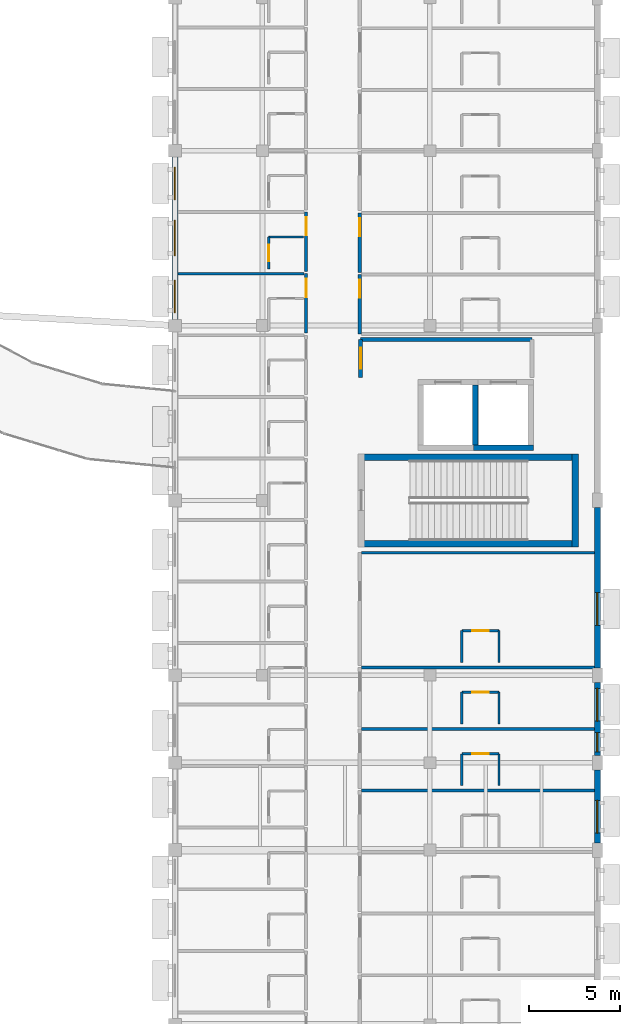
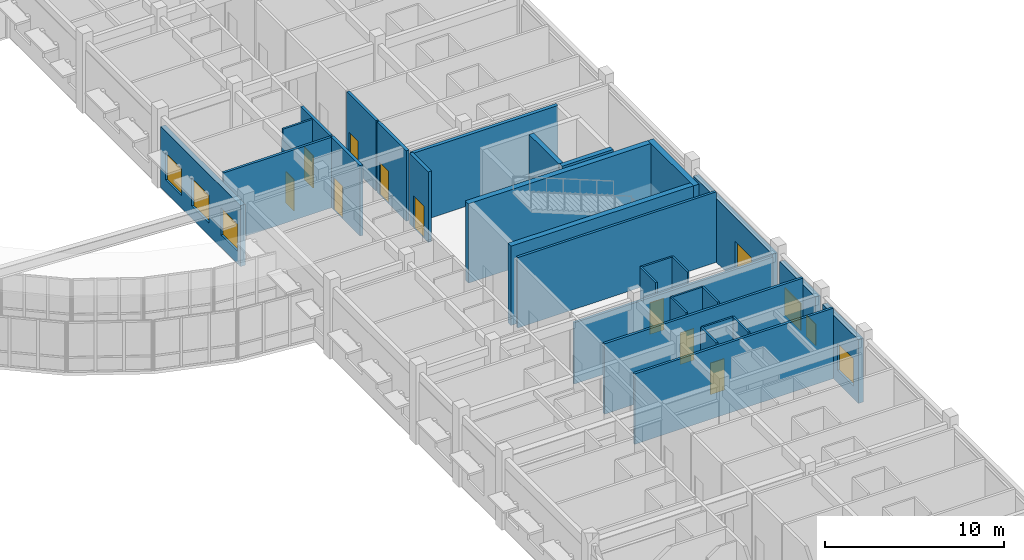
# One storey, part 51 of 68: 31 walls, 9 doors, 7 windows, 16 openings.
"""IFC4 building model written with IfcOpenShell, lengths in metres."""

from ifc_helpers import new_model, si_unit, direction, frame, frame_2d, origin, place, context, subcontext, project, spatial, rectangle, extrude, material, layer, layer_set, type_object, element, fill, save


model = new_model("IFC4")

# Units and contexts
model_context = context("Model", 3, precision=1e-05, world=origin(), true_north=direction((0.0, 1.0)))
body_context = subcontext(model_context, "Body", "Model", "MODEL_VIEW")
ifc_project = project(units=[si_unit("LENGTHUNIT", "METRE"), si_unit("AREAUNIT", "SQUARE_METRE"), si_unit("VOLUMEUNIT", "CUBIC_METRE"), si_unit("PLANEANGLEUNIT", "RADIAN"), si_unit("MASSUNIT", "GRAM", prefix="KILO")], contexts=[model_context])

# Site, building, storey
site_placement = place(None, origin())
site = spatial("IfcSite", under=ifc_project, at=site_placement, CompositionType="ELEMENT")
building_placement = place(site_placement, origin())
building = spatial("IfcBuilding", under=site, at=building_placement, Name="Veldera Park Congress Hotel", CompositionType="ELEMENT")
storey_placement = place(building_placement, frame((0.0, 0.0, 10.800048828125)))
storey = spatial("IfcBuildingStorey", under=building, at=storey_placement, Name="L02", CompositionType="ELEMENT", Elevation=10.800048828125)

# Wall, opening, window
ifc_material_1 = material(Name="Cross-laminated timber CLT V2M1.1", Category="wood")
ifc_layer_1 = layer(ifc_material_1, 0.320068359375)
ifc_layer_set_1 = layer_set([ifc_layer_1], Name="Cross-laminated timber CLT V2M1.1")
wall_type_1 = type_object("IfcWallType", Name="EW-CLT320", PredefinedType="STANDARD", material=ifc_layer_set_1)
wall_1_placement = place(storey_placement, frame((84.0, -27.802001953125, 0.0), z_axis=(0.0, 0.0, 1.0), x_axis=(0.0, 1.0, 0.0)))
wall_1 = element("IfcWall", 1, at=wall_1_placement, inside=storey, type_object=wall_type_1, Name="L02 Exterior Wall EW3-L02-0177", PredefinedType="STANDARD", context=body_context, shape_type="SweptSolid", body=[
    extrude(rectangle(XDim=4.00390625, YDim=0.320068359375, at=frame_2d((2.001953125, 0.0))), origin(), (0.0, 0.0, 1.0), 4.33203125),
])
opening_1_placement = place(wall_1_placement, frame((0.535888671875, 0.0, 0.85009765625)))
opening_1 = element("IfcOpeningElement", 2, at=opening_1_placement, cuts=wall_1, Name="Opening WIN-1800", PredefinedType="OPENING", context=body_context, shape_type="SweptSolid", body=[
    extrude(rectangle(XDim=1.800048828125, YDim=1.85009765625, at=frame_2d((0.89990234375, 0.925048828125))), frame((0.0, 0.172119140625, 0.0), z_axis=(0.0, -1.0, 0.0), x_axis=(1.0, 0.0, 0.0)), (0.0, 0.0, 1.0), 0.343994140625),
])
ifc_material_2 = material(Name="Low-E Triple Insulating Glass Unit (SHGC 0.22)", Category="glass")
window_type_1 = type_object("IfcWindowType", Name="WIN-1800", PartitioningType="SINGLE_PANEL", PredefinedType="WINDOW", material=ifc_material_2)
window_1_placement = place(opening_1_placement, origin())
window_1 = element("IfcWindow", 3, at=window_1_placement, inside=storey, type_object=window_type_1, Name="L02 Window WIN-1800 383", OverallHeight=1.85009765625, OverallWidth=1.800048828125, PartitioningType="SINGLE_PANEL", PredefinedType="WINDOW", context=body_context, shape_type="SweptSolid", body=[
    extrude(rectangle(XDim=1.800048828125, YDim=1.85009765625, at=frame_2d((0.89990234375, 0.925048828125))), frame((0.0, 0.030029296875, 0.0), z_axis=(0.0, -1.0, 0.0), x_axis=(1.0, 0.0, 0.0)), (0.0, 0.0, 1.0), 0.06005859375),
])
fill(opening_1, window_1)

# Wall, openings, windows
wall_2_placement = place(storey_placement, frame((84.0, -23.001953125, 0.0), z_axis=(0.0, 0.0, 1.0), x_axis=(0.0, 1.0, 0.0)))
wall_2 = element("IfcWall", 4, at=wall_2_placement, inside=storey, type_object=wall_type_1, Name="L02 Exterior Wall EW3-L02-0178", PredefinedType="STANDARD", context=body_context, shape_type="SweptSolid", body=[
    extrude(rectangle(XDim=4.00390625, YDim=0.320068359375, at=frame_2d((2.001953125, 0.0))), origin(), (0.0, 0.0, 1.0), 4.33203125),
])
opening_2_placement = place(wall_2_placement, frame((0.200927734375, 0.0, 0.85009765625)))
opening_2 = element("IfcOpeningElement", 5, at=opening_2_placement, cuts=wall_2, Name="Opening WIN-1050", PredefinedType="OPENING", context=body_context, shape_type="SweptSolid", body=[
    extrude(rectangle(XDim=1.050048828125, YDim=1.449951171875, at=frame_2d((0.52490234375, 0.72509765625))), frame((0.0, 0.172119140625, 0.0), z_axis=(0.0, -1.0, 0.0), x_axis=(1.0, 0.0, 0.0)), (0.0, 0.0, 1.0), 0.343994140625),
])
opening_3_placement = place(wall_2_placement, frame((1.887939453125, 0.0, 0.85009765625)))
opening_3 = element("IfcOpeningElement", 6, at=opening_3_placement, cuts=wall_2, Name="Opening WIN-1800", PredefinedType="OPENING", context=body_context, shape_type="SweptSolid", body=[
    extrude(rectangle(XDim=1.800048828125, YDim=1.85009765625, at=frame_2d((0.89990234375, 0.925048828125))), frame((0.0, 0.172119140625, 0.0), z_axis=(0.0, -1.0, 0.0), x_axis=(1.0, 0.0, 0.0)), (0.0, 0.0, 1.0), 0.343994140625),
])
window_type_2 = type_object("IfcWindowType", Name="WIN-1050", PartitioningType="SINGLE_PANEL", PredefinedType="WINDOW", material=ifc_material_2)
window_2_placement = place(opening_2_placement, origin())
window_2 = element("IfcWindow", 7, at=window_2_placement, inside=storey, type_object=window_type_2, Name="L02 Window WIN-1050 384", OverallHeight=1.449951171875, OverallWidth=1.050048828125, PartitioningType="SINGLE_PANEL", PredefinedType="WINDOW", context=body_context, shape_type="SweptSolid", body=[
    extrude(rectangle(XDim=1.050048828125, YDim=1.449951171875, at=frame_2d((0.52490234375, 0.72509765625))), frame((0.0, 0.030029296875, 0.0), z_axis=(0.0, -1.0, 0.0), x_axis=(1.0, 0.0, 0.0)), (0.0, 0.0, 1.0), 0.06005859375),
])
fill(opening_2, window_2)
window_3_placement = place(opening_3_placement, origin())
window_3 = element("IfcWindow", 8, at=window_3_placement, inside=storey, type_object=window_type_1, Name="L02 Window WIN-1800 385", OverallHeight=1.85009765625, OverallWidth=1.800048828125, PartitioningType="SINGLE_PANEL", PredefinedType="WINDOW", context=body_context, shape_type="SweptSolid", body=[
    extrude(rectangle(XDim=1.800048828125, YDim=1.85009765625, at=frame_2d((0.89990234375, 0.925048828125))), frame((0.0, 0.030029296875, 0.0), z_axis=(0.0, -1.0, 0.0), x_axis=(1.0, 0.0, 0.0)), (0.0, 0.0, 1.0), 0.06005859375),
])
fill(opening_3, window_3)

# Wall, opening, window
wall_3_placement = place(storey_placement, frame((84.0, -18.201904296875, 0.0), z_axis=(0.0, 0.0, 1.0), x_axis=(0.0, 1.0, 0.0)))
wall_3 = element("IfcWall", 9, at=wall_3_placement, inside=storey, type_object=wall_type_1, Name="L02 Exterior Wall EW3-L02-0179", PredefinedType="STANDARD", context=body_context, shape_type="SweptSolid", body=[
    extrude(rectangle(XDim=8.803955078125, YDim=0.320068359375, at=frame_2d((4.40185546875, 0.0))), origin(), (0.0, 0.0, 1.0), 4.33203125),
])
opening_4_placement = place(wall_3_placement, frame((2.342041015625, 0.0, 0.85009765625)))
opening_4 = element("IfcOpeningElement", 10, at=opening_4_placement, cuts=wall_3, Name="Opening WIN-1800", PredefinedType="OPENING", context=body_context, shape_type="SweptSolid", body=[
    extrude(rectangle(XDim=1.800048828125, YDim=1.85009765625, at=frame_2d((0.89990234375, 0.925048828125))), frame((0.0, 0.172119140625, 0.0), z_axis=(0.0, -1.0, 0.0), x_axis=(1.0, 0.0, 0.0)), (0.0, 0.0, 1.0), 0.343994140625),
])
window_4_placement = place(opening_4_placement, origin())
window_4 = element("IfcWindow", 11, at=window_4_placement, inside=storey, type_object=window_type_1, Name="L02 Window WIN-1800 386", OverallHeight=1.85009765625, OverallWidth=1.800048828125, PartitioningType="SINGLE_PANEL", PredefinedType="WINDOW", context=body_context, shape_type="SweptSolid", body=[
    extrude(rectangle(XDim=1.800048828125, YDim=1.85009765625, at=frame_2d((0.89990234375, 0.925048828125))), frame((0.0, 0.030029296875, 0.0), z_axis=(0.0, -1.0, 0.0), x_axis=(1.0, 0.0, 0.0)), (0.0, 0.0, 1.0), 0.06005859375),
])
fill(opening_4, window_4)

# Wall, openings, windows
wall_4_placement = place(storey_placement, frame((60.800048828125, 9.85205078125, 0.0), z_axis=(0.0, 0.0, 1.0), x_axis=(0.0, -1.0, 0.0)))
wall_4 = element("IfcWall", 12, at=wall_4_placement, inside=storey, type_object=wall_type_1, Name="L02 Exterior Wall EW3-L02-0200", PredefinedType="STANDARD", context=body_context, shape_type="SweptSolid", body=[
    extrude(rectangle(XDim=8.904052734375, YDim=0.320068359375, at=frame_2d((4.4521484375, 0.0))), origin(), (0.0, 0.0, 1.0), 4.155029296875),
])
opening_5_placement = place(wall_4_placement, frame((3.47705078125, 0.0, 0.85009765625)))
opening_5 = element("IfcOpeningElement", 13, at=opening_5_placement, cuts=wall_4, Name="Opening WIN-1950", PredefinedType="OPENING", context=body_context, shape_type="SweptSolid", body=[
    extrude(rectangle(XDim=1.949951171875, YDim=1.89990234375, at=frame_2d((0.97509765625, 0.949951171875))), frame((0.0, 0.172119140625, 0.0), z_axis=(0.0, -1.0, 0.0), x_axis=(1.0, 0.0, 0.0)), (0.0, 0.0, 1.0), 0.343994140625),
])
opening_6_placement = place(wall_4_placement, frame((6.7529296875, 0.0, 0.85009765625)))
opening_6 = element("IfcOpeningElement", 14, at=opening_6_placement, cuts=wall_4, Name="Opening WIN-1800", PredefinedType="OPENING", context=body_context, shape_type="SweptSolid", body=[
    extrude(rectangle(XDim=1.800048828125, YDim=1.85009765625, at=frame_2d((0.89990234375, 0.925048828125))), frame((0.0, 0.172119140625, 0.0), z_axis=(0.0, -1.0, 0.0), x_axis=(1.0, 0.0, 0.0)), (0.0, 0.0, 1.0), 0.343994140625),
])
opening_7_placement = place(wall_4_placement, frame((0.551025390625, 0.0, 0.85009765625)))
opening_7 = element("IfcOpeningElement", 15, at=opening_7_placement, cuts=wall_4, Name="Opening WIN-1800", PredefinedType="OPENING", context=body_context, shape_type="SweptSolid", body=[
    extrude(rectangle(XDim=1.800048828125, YDim=1.85009765625, at=frame_2d((0.89990234375, 0.925048828125))), frame((0.0, 0.172119140625, 0.0), z_axis=(0.0, -1.0, 0.0), x_axis=(1.0, 0.0, 0.0)), (0.0, 0.0, 1.0), 0.343994140625),
])
window_5_placement = place(opening_6_placement, origin())
window_5 = element("IfcWindow", 16, at=window_5_placement, inside=storey, type_object=window_type_1, Name="L02 Window WIN-1800 370", OverallHeight=1.85009765625, OverallWidth=1.800048828125, PartitioningType="SINGLE_PANEL", PredefinedType="WINDOW", context=body_context, shape_type="SweptSolid", body=[
    extrude(rectangle(XDim=1.800048828125, YDim=1.85009765625, at=frame_2d((0.89990234375, 0.925048828125))), frame((0.0, 0.030029296875, 0.0), z_axis=(0.0, -1.0, 0.0), x_axis=(1.0, 0.0, 0.0)), (0.0, 0.0, 1.0), 0.06005859375),
])
fill(opening_6, window_5)
window_6_placement = place(opening_7_placement, origin())
window_6 = element("IfcWindow", 17, at=window_6_placement, inside=storey, type_object=window_type_1, Name="L02 Window WIN-1800 371", OverallHeight=1.85009765625, OverallWidth=1.800048828125, PartitioningType="SINGLE_PANEL", PredefinedType="WINDOW", context=body_context, shape_type="SweptSolid", body=[
    extrude(rectangle(XDim=1.800048828125, YDim=1.85009765625, at=frame_2d((0.89990234375, 0.925048828125))), frame((0.0, 0.030029296875, 0.0), z_axis=(0.0, -1.0, 0.0), x_axis=(1.0, 0.0, 0.0)), (0.0, 0.0, 1.0), 0.06005859375),
])
fill(opening_7, window_6)
window_type_3 = type_object("IfcWindowType", Name="WIN-1950", PartitioningType="DOUBLE_PANEL_VERTICAL", PredefinedType="WINDOW", material=ifc_material_2)
window_7_placement = place(opening_5_placement, origin())
window_7 = element("IfcWindow", 18, at=window_7_placement, inside=storey, type_object=window_type_3, Name="L02 Window WIN-1950 185", OverallHeight=1.89990234375, OverallWidth=1.949951171875, PartitioningType="DOUBLE_PANEL_VERTICAL", PredefinedType="WINDOW", context=body_context, shape_type="SweptSolid", body=[
    extrude(rectangle(XDim=1.949951171875, YDim=1.89990234375, at=frame_2d((0.97509765625, 0.949951171875))), frame((0.0, 0.030029296875, 0.0), z_axis=(0.0, -1.0, 0.0), x_axis=(1.0, 0.0, 0.0)), (0.0, 0.0, 1.0), 0.06005859375),
])
fill(opening_5, window_7)

# Wall, opening, door
ifc_material_3 = material(Name="Fire-Rated Gypsum Board on Cold-Formed Steel Studs", Category="steel")
ifc_layer_2 = layer(ifc_material_3, 0.1201171875)
ifc_layer_set_2 = layer_set([ifc_layer_2], Name="Fire-Rated Gypsum Board on Cold-Formed Steel Studs")
wall_type_2 = type_object("IfcWallType", Name="IW-BATH120", PredefinedType="PARTITIONING", material=ifc_layer_set_2)
wall_5_placement = place(storey_placement, frame((65.949951171875, 3.719970703125, 0.0), z_axis=(0.0, 0.0, 1.0), x_axis=(0.0, 1.0, 0.0)))
wall_5 = element("IfcWall", 19, at=wall_5_placement, inside=storey, type_object=wall_type_2, Name="L02 Partition Wall IW3-L02-00422", PredefinedType="PARTITIONING", context=body_context, shape_type="SweptSolid", body=[
    extrude(rectangle(XDim=1.75, YDim=0.1201171875, at=frame_2d((0.875, 0.0))), origin(), (0.0, 0.0, 1.0), 4.155029296875),
])
opening_8_placement = place(wall_5_placement, frame((0.425048828125, 0.0, 0.0)))
opening_8 = element("IfcOpeningElement", 20, at=opening_8_placement, cuts=wall_5, Name="Opening ID-BATH090", PredefinedType="OPENING", context=body_context, shape_type="SweptSolid", body=[
    extrude(rectangle(XDim=0.89990234375, YDim=2.14990234375, at=frame_2d((0.449951171875, 1.074951171875))), frame((0.0, 0.072021484375, 0.0), z_axis=(0.0, -1.0, 0.0), x_axis=(1.0, 0.0, 0.0)), (0.0, 0.0, 1.0), 0.14404296875),
])
ifc_material_4 = material(Name="Solid Core White Oak Architectural Door", Category="wood")
door_type_1 = type_object("IfcDoorType", Name="ID-BATH090", OperationType="NOTDEFINED", PredefinedType="DOOR", material=ifc_material_4)
door_1_placement = place(opening_8_placement, origin())
door_1 = element("IfcDoor", 21, at=door_1_placement, inside=storey, type_object=door_type_1, Name="L02 En-suite 015 Door ID3-L02-0169 (DR3-ID3-L02-0169)", OperationType="SINGLE_SWING_LEFT", OverallHeight=2.14990234375, OverallWidth=0.89990234375, PredefinedType="DOOR", context=body_context, shape_type="SweptSolid", body=[
    extrude(rectangle(XDim=0.89990234375, YDim=2.14990234375, at=frame_2d((0.449951171875, 1.074951171875))), frame((0.0, 0.02490234375, 0.0), z_axis=(0.0, -1.0, 0.0), x_axis=(1.0, 0.0, 0.0)), (0.0, 0.0, 1.0), 0.050048828125),
])
fill(opening_8, door_1)

# Walls
wall_6_placement = place(storey_placement, frame((65.949951171875, 5.469970703125, 0.0), z_axis=(0.0, 0.0, 1.0), x_axis=(1.0, 0.0, 0.0)))
element("IfcWall", 22, at=wall_6_placement, inside=storey, type_object=wall_type_2, Name="L02 Partition Wall IW3-L02-00423", PredefinedType="PARTITIONING", context=body_context, shape_type="SweptSolid", body=[
    extrude(rectangle(XDim=1.900146484375, YDim=0.1201171875, at=frame_2d((0.9501953125, 0.0))), origin(), (0.0, 0.0, 1.0), 4.800048828125),
])
for number, where, z_axis, x_axis, name in (
    (23, (76.550048828125, -24.659912109375, 0.0), (0.0, 0.0, 1.0), (0.0, 1.0, 0.0), "L02 Partition Wall IW3-L02-00491"),
    (24, (78.60009765625, -24.659912109375, 0.0), (0.0, 0.0, 1.0), (0.0, 1.0, 0.0), "L02 Partition Wall IW3-L02-00492"),
):
    element("IfcWall", number, at=place(storey_placement, frame(where, z_axis=z_axis, x_axis=x_axis)), inside=storey, type_object=wall_type_2, Name=name, PredefinedType="PARTITIONING", context=body_context, shape_type="SweptSolid", body=[
        extrude(rectangle(XDim=1.75, YDim=0.1201171875, at=frame_2d((0.875, 0.0))), origin(), (0.0, 0.0, 1.0), 4.800048828125),
    ])

# Wall, opening, door
wall_7_placement = place(storey_placement, frame((76.550048828125, -22.909912109375, 0.0), z_axis=(0.0, 0.0, 1.0), x_axis=(1.0, 0.0, 0.0)))
wall_7 = element("IfcWall", 25, at=wall_7_placement, inside=storey, type_object=wall_type_2, Name="L02 Partition Wall IW3-L02-00493", PredefinedType="PARTITIONING", context=body_context, shape_type="SweptSolid", body=[
    extrude(rectangle(XDim=2.050048828125, YDim=0.1201171875, at=frame_2d((1.02490234375, 0.0))), origin(), (0.0, 0.0, 1.0), 4.800048828125),
])
opening_9_placement = place(wall_7_placement, frame((0.574951171875, 0.0, 0.0)))
opening_9 = element("IfcOpeningElement", 26, at=opening_9_placement, cuts=wall_7, Name="Opening ID-BATH090", PredefinedType="OPENING", context=body_context, shape_type="SweptSolid", body=[
    extrude(rectangle(XDim=0.89990234375, YDim=2.14990234375, at=frame_2d((0.449951171875, 1.074951171875))), frame((0.0, 0.072021484375, 0.0), z_axis=(0.0, -1.0, 0.0), x_axis=(1.0, 0.0, 0.0)), (0.0, 0.0, 1.0), 0.14404296875),
])
door_2_placement = place(opening_9_placement, origin())
door_2 = element("IfcDoor", 27, at=door_2_placement, inside=storey, type_object=door_type_1, Name="L02 En-suite 030 Door ID3-L02-0199 (DR3-ID3-L02-0199)", OperationType="SINGLE_SWING_LEFT", OverallHeight=2.14990234375, OverallWidth=0.89990234375, PredefinedType="DOOR", context=body_context, shape_type="SweptSolid", body=[
    extrude(rectangle(XDim=0.89990234375, YDim=2.14990234375, at=frame_2d((0.449951171875, 1.074951171875))), frame((0.0, 0.02490234375, 0.0), z_axis=(0.0, -1.0, 0.0), x_axis=(1.0, 0.0, 0.0)), (0.0, 0.0, 1.0), 0.050048828125),
])
fill(opening_9, door_2)

# Walls
for number, where, z_axis, x_axis, name in (
    (28, (76.550048828125, -21.280029296875, 0.0), (0.0, 0.0, 1.0), (0.0, 1.0, 0.0), "L02 Partition Wall IW3-L02-00496"),
    (29, (78.60009765625, -21.280029296875, 0.0), (0.0, 0.0, 1.0), (0.0, 1.0, 0.0), "L02 Partition Wall IW3-L02-00497"),
):
    element("IfcWall", number, at=place(storey_placement, frame(where, z_axis=z_axis, x_axis=x_axis)), inside=storey, type_object=wall_type_2, Name=name, PredefinedType="PARTITIONING", context=body_context, shape_type="SweptSolid", body=[
        extrude(rectangle(XDim=1.75, YDim=0.1201171875, at=frame_2d((0.875, 0.0))), origin(), (0.0, 0.0, 1.0), 4.800048828125),
    ])

# Wall, opening, door
wall_8_placement = place(storey_placement, frame((76.550048828125, -19.530029296875, 0.0), z_axis=(0.0, 0.0, 1.0), x_axis=(1.0, 0.0, 0.0)))
wall_8 = element("IfcWall", 30, at=wall_8_placement, inside=storey, type_object=wall_type_2, Name="L02 Partition Wall IW3-L02-00498", PredefinedType="PARTITIONING", context=body_context, shape_type="SweptSolid", body=[
    extrude(rectangle(XDim=2.050048828125, YDim=0.1201171875, at=frame_2d((1.02490234375, 0.0))), origin(), (0.0, 0.0, 1.0), 4.800048828125),
])
opening_10_placement = place(wall_8_placement, frame((0.574951171875, 0.0, 0.0)))
opening_10 = element("IfcOpeningElement", 31, at=opening_10_placement, cuts=wall_8, Name="Opening ID-BATH090", PredefinedType="OPENING", context=body_context, shape_type="SweptSolid", body=[
    extrude(rectangle(XDim=0.89990234375, YDim=2.14990234375, at=frame_2d((0.449951171875, 1.074951171875))), frame((0.0, 0.072021484375, 0.0), z_axis=(0.0, -1.0, 0.0), x_axis=(1.0, 0.0, 0.0)), (0.0, 0.0, 1.0), 0.14404296875),
])
door_3_placement = place(opening_10_placement, origin())
door_3 = element("IfcDoor", 32, at=door_3_placement, inside=storey, type_object=door_type_1, Name="L02 En-suite 031 Door ID3-L02-0201 (DR3-ID3-L02-0201)", OperationType="SINGLE_SWING_LEFT", OverallHeight=2.14990234375, OverallWidth=0.89990234375, PredefinedType="DOOR", context=body_context, shape_type="SweptSolid", body=[
    extrude(rectangle(XDim=0.89990234375, YDim=2.14990234375, at=frame_2d((0.449951171875, 1.074951171875))), frame((0.0, 0.02490234375, 0.0), z_axis=(0.0, -1.0, 0.0), x_axis=(1.0, 0.0, 0.0)), (0.0, 0.0, 1.0), 0.050048828125),
])
fill(opening_10, door_3)

# Walls
for number, where, z_axis, x_axis, name in (
    (33, (76.550048828125, -17.89990234375, 0.0), (0.0, 0.0, 1.0), (0.0, 1.0, 0.0), "L02 Partition Wall IW3-L02-00501"),
    (34, (78.60009765625, -17.89990234375, 0.0), (0.0, 0.0, 1.0), (0.0, 1.0, 0.0), "L02 Partition Wall IW3-L02-00502"),
):
    element("IfcWall", number, at=place(storey_placement, frame(where, z_axis=z_axis, x_axis=x_axis)), inside=storey, type_object=wall_type_2, Name=name, PredefinedType="PARTITIONING", context=body_context, shape_type="SweptSolid", body=[
        extrude(rectangle(XDim=1.75, YDim=0.1201171875, at=frame_2d((0.875, 0.0))), origin(), (0.0, 0.0, 1.0), 4.800048828125),
    ])

# Wall, opening, door
wall_9_placement = place(storey_placement, frame((76.550048828125, -16.14990234375, 0.0), z_axis=(0.0, 0.0, 1.0), x_axis=(1.0, 0.0, 0.0)))
wall_9 = element("IfcWall", 35, at=wall_9_placement, inside=storey, type_object=wall_type_2, Name="L02 Partition Wall IW3-L02-00503", PredefinedType="PARTITIONING", context=body_context, shape_type="SweptSolid", body=[
    extrude(rectangle(XDim=2.050048828125, YDim=0.1201171875, at=frame_2d((1.02490234375, 0.0))), origin(), (0.0, 0.0, 1.0), 4.800048828125),
])
opening_11_placement = place(wall_9_placement, frame((0.574951171875, 0.0, 0.0)))
opening_11 = element("IfcOpeningElement", 36, at=opening_11_placement, cuts=wall_9, Name="Opening ID-BATH090", PredefinedType="OPENING", context=body_context, shape_type="SweptSolid", body=[
    extrude(rectangle(XDim=0.89990234375, YDim=2.14990234375, at=frame_2d((0.449951171875, 1.074951171875))), frame((0.0, 0.072021484375, 0.0), z_axis=(0.0, -1.0, 0.0), x_axis=(1.0, 0.0, 0.0)), (0.0, 0.0, 1.0), 0.14404296875),
])
door_4_placement = place(opening_11_placement, origin())
door_4 = element("IfcDoor", 37, at=door_4_placement, inside=storey, type_object=door_type_1, Name="L02 En-suite 032 Door ID3-L02-0203 (DR3-ID3-L02-0203)", OperationType="SINGLE_SWING_LEFT", OverallHeight=2.14990234375, OverallWidth=0.89990234375, PredefinedType="DOOR", context=body_context, shape_type="SweptSolid", body=[
    extrude(rectangle(XDim=0.89990234375, YDim=2.14990234375, at=frame_2d((0.449951171875, 1.074951171875))), frame((0.0, 0.02490234375, 0.0), z_axis=(0.0, -1.0, 0.0), x_axis=(1.0, 0.0, 0.0)), (0.0, 0.0, 1.0), 0.050048828125),
])
fill(opening_11, door_4)

ifc_layer_3 = layer(ifc_material_3, 0.179931640625)
ifc_layer_set_3 = layer_set([ifc_layer_3], Name="Fire-Rated Gypsum Board on Cold-Formed Steel Studs")
wall_type_3 = type_object("IfcWallType", Name="IW-CORR180", PredefinedType="PARTITIONING", material=ifc_layer_set_3)
wall_10_placement = place(storey_placement, frame((68.0, 0.18994140625, 0.0), z_axis=(0.0, 0.0, 1.0), x_axis=(0.0, 1.0, 0.0)))
wall_10 = element("IfcWall", 38, at=wall_10_placement, inside=storey, type_object=wall_type_3, Name="L02 Corridor Wall IW3-L02-00416", PredefinedType="PARTITIONING", context=body_context, shape_type="SweptSolid", body=[
    extrude(rectangle(XDim=3.260009765625, YDim=0.179931640625, at=frame_2d((1.6298828125, 0.0))), origin(), (0.0, 0.0, 1.0), 4.800048828125),
])
opening_12_placement = place(wall_10_placement, frame((1.97998046875, 0.0, 0.0)))
opening_12 = element("IfcOpeningElement", 39, at=opening_12_placement, cuts=wall_10, Name="Opening ID-UNIT100", PredefinedType="OPENING", context=body_context, shape_type="SweptSolid", body=[
    extrude(rectangle(XDim=1.0, YDim=2.199951171875, at=frame_2d((0.5, 1.10009765625))), frame((0.0, 0.10205078125, 0.0), z_axis=(0.0, -1.0, 0.0), x_axis=(1.0, 0.0, 0.0)), (0.0, 0.0, 1.0), 0.203857421875),
])
door_type_2 = type_object("IfcDoorType", Name="ID-UNIT100", OperationType="NOTDEFINED", PredefinedType="DOOR", material=ifc_material_4)
door_5_placement = place(opening_12_placement, origin())
door_5 = element("IfcDoor", 40, at=door_5_placement, inside=storey, type_object=door_type_2, Name="L02 Guestroom 014 Entry Door (DR3-UD3-L02-014)", OperationType="SINGLE_SWING_RIGHT", OverallHeight=2.199951171875, OverallWidth=1.0, PredefinedType="DOOR", context=body_context, shape_type="SweptSolid", body=[
    extrude(rectangle(XDim=1.0, YDim=2.199951171875, at=frame_2d((0.5, 1.10009765625))), frame((0.0, 0.02490234375, 0.0), z_axis=(0.0, -1.0, 0.0), x_axis=(1.0, 0.0, 0.0)), (0.0, 0.0, 1.0), 0.050048828125),
])
fill(opening_12, door_5)

wall_11_placement = place(storey_placement, frame((68.0, 3.570068359375, 0.0), z_axis=(0.0, 0.0, 1.0), x_axis=(0.0, 1.0, 0.0)))
wall_11 = element("IfcWall", 41, at=wall_11_placement, inside=storey, type_object=wall_type_3, Name="L02 Corridor Wall IW3-L02-00420", PredefinedType="PARTITIONING", context=body_context, shape_type="SweptSolid", body=[
    extrude(rectangle(XDim=3.260009765625, YDim=0.179931640625, at=frame_2d((1.6298828125, 0.0))), origin(), (0.0, 0.0, 1.0), 4.800048828125),
])
opening_13_placement = place(wall_11_placement, frame((1.97998046875, 0.0, 0.0)))
opening_13 = element("IfcOpeningElement", 42, at=opening_13_placement, cuts=wall_11, Name="Opening ID-UNIT100", PredefinedType="OPENING", context=body_context, shape_type="SweptSolid", body=[
    extrude(rectangle(XDim=1.0, YDim=2.199951171875, at=frame_2d((0.5, 1.10009765625))), frame((0.0, 0.10205078125, 0.0), z_axis=(0.0, -1.0, 0.0), x_axis=(1.0, 0.0, 0.0)), (0.0, 0.0, 1.0), 0.203857421875),
])
door_6_placement = place(opening_13_placement, origin())
door_6 = element("IfcDoor", 43, at=door_6_placement, inside=storey, type_object=door_type_2, Name="L02 Guestroom 015 Entry Door (DR3-UD3-L02-015)", OperationType="SINGLE_SWING_RIGHT", OverallHeight=2.199951171875, OverallWidth=1.0, PredefinedType="DOOR", context=body_context, shape_type="SweptSolid", body=[
    extrude(rectangle(XDim=1.0, YDim=2.199951171875, at=frame_2d((0.5, 1.10009765625))), frame((0.0, 0.02490234375, 0.0), z_axis=(0.0, -1.0, 0.0), x_axis=(1.0, 0.0, 0.0)), (0.0, 0.0, 1.0), 0.050048828125),
])
fill(opening_13, door_6)

wall_12_placement = place(storey_placement, frame((70.949951171875, 3.409912109375, 0.0), z_axis=(0.0, 0.0, 1.0), x_axis=(0.0, -1.0, 0.0)))
wall_12 = element("IfcWall", 44, at=wall_12_placement, inside=storey, type_object=wall_type_3, Name="L02 Corridor Wall IW3-L02-00504", PredefinedType="PARTITIONING", context=body_context, shape_type="SweptSolid", body=[
    extrude(rectangle(XDim=3.260009765625, YDim=0.179931640625, at=frame_2d((1.6298828125, 0.0))), origin(), (0.0, 0.0, 1.0), 4.800048828125),
])
opening_14_placement = place(wall_12_placement, frame((0.280029296875, 0.0, 0.0)))
opening_14 = element("IfcOpeningElement", 45, at=opening_14_placement, cuts=wall_12, Name="Opening ID-UNIT100", PredefinedType="OPENING", context=body_context, shape_type="SweptSolid", body=[
    extrude(rectangle(XDim=1.0, YDim=2.199951171875, at=frame_2d((0.5, 1.10009765625))), frame((0.0, 0.10205078125, 0.0), z_axis=(0.0, -1.0, 0.0), x_axis=(1.0, 0.0, 0.0)), (0.0, 0.0, 1.0), 0.203857421875),
])
door_7_placement = place(opening_14_placement, origin())
door_7 = element("IfcDoor", 46, at=door_7_placement, inside=storey, type_object=door_type_2, Name="L02 Guestroom 033 Entry Door (DR3-UD3-L02-033)", OperationType="SINGLE_SWING_RIGHT", OverallHeight=2.199951171875, OverallWidth=1.0, PredefinedType="DOOR", context=body_context, shape_type="SweptSolid", body=[
    extrude(rectangle(XDim=1.0, YDim=2.199951171875, at=frame_2d((0.5, 1.10009765625))), frame((0.0, 0.02490234375, 0.0), z_axis=(0.0, -1.0, 0.0), x_axis=(1.0, 0.0, 0.0)), (0.0, 0.0, 1.0), 0.050048828125),
])
fill(opening_14, door_7)

wall_13_placement = place(storey_placement, frame((70.949951171875, 6.7900390625, 0.0), z_axis=(0.0, 0.0, 1.0), x_axis=(0.0, -1.0, 0.0)))
wall_13 = element("IfcWall", 47, at=wall_13_placement, inside=storey, type_object=wall_type_3, Name="L02 Corridor Wall IW3-L02-00510", PredefinedType="PARTITIONING", context=body_context, shape_type="SweptSolid", body=[
    extrude(rectangle(XDim=3.260009765625, YDim=0.179931640625, at=frame_2d((1.6298828125, 0.0))), origin(), (0.0, 0.0, 1.0), 4.800048828125),
])
opening_15_placement = place(wall_13_placement, frame((0.280029296875, 0.0, 0.0)))
opening_15 = element("IfcOpeningElement", 48, at=opening_15_placement, cuts=wall_13, Name="Opening ID-UNIT100", PredefinedType="OPENING", context=body_context, shape_type="SweptSolid", body=[
    extrude(rectangle(XDim=1.0, YDim=2.199951171875, at=frame_2d((0.5, 1.10009765625))), frame((0.0, 0.10205078125, 0.0), z_axis=(0.0, -1.0, 0.0), x_axis=(1.0, 0.0, 0.0)), (0.0, 0.0, 1.0), 0.203857421875),
])
door_8_placement = place(opening_15_placement, origin())
door_8 = element("IfcDoor", 49, at=door_8_placement, inside=storey, type_object=door_type_2, Name="L02 Guestroom 034 Entry Door (DR3-UD3-L02-034)", OperationType="SINGLE_SWING_RIGHT", OverallHeight=2.199951171875, OverallWidth=1.0, PredefinedType="DOOR", context=body_context, shape_type="SweptSolid", body=[
    extrude(rectangle(XDim=1.0, YDim=2.199951171875, at=frame_2d((0.5, 1.10009765625))), frame((0.0, 0.02490234375, 0.0), z_axis=(0.0, -1.0, 0.0), x_axis=(1.0, 0.0, 0.0)), (0.0, 0.0, 1.0), 0.050048828125),
])
fill(opening_15, door_8)

# Wall
ifc_material_5 = material(Name="Concrete f'c 40 MPa (5,800 psi)", Category="concrete")
ifc_layer_4 = layer(ifc_material_5, 0.219970703125)
ifc_layer_set_4 = layer_set([ifc_layer_4], Name="Concrete f'c 40 MPa (5,800 psi)")
wall_type_4 = type_object("IfcWallType", Name="IW-FIRE220", PredefinedType="STANDARD", material=ifc_layer_set_4)
wall_14_placement = place(storey_placement, frame((80.39990234375, -0.14990234375, 0.0), z_axis=(0.0, 0.0, 1.0), x_axis=(-1.0, 0.0, 0.0)))
element("IfcWall", 50, at=wall_14_placement, inside=storey, type_object=wall_type_4, Name="L02 Partition Wall IW3-L02-00172", PredefinedType="STANDARD", context=body_context, shape_type="SweptSolid", body=[
    extrude(rectangle(XDim=9.39990234375, YDim=0.219970703125, at=frame_2d((4.699951171875, 0.0))), origin(), (0.0, 0.0, 1.0), 4.800048828125),
])

# Wall, opening, door
wall_15_placement = place(storey_placement, frame((71.0, -0.14990234375, 0.0), z_axis=(0.0, 0.0, 1.0), x_axis=(0.0, -1.0, 0.0)))
wall_15 = element("IfcWall", 51, at=wall_15_placement, inside=storey, type_object=wall_type_4, Name="L02 Partition Wall IW3-L02-00173", PredefinedType="STANDARD", context=body_context, shape_type="SweptSolid", body=[
    extrude(rectangle(XDim=2.10009765625, YDim=0.219970703125, at=frame_2d((1.050048828125, 0.0))), origin(), (0.0, 0.0, 1.0), 4.800048828125),
])
opening_16_placement = place(wall_15_placement, frame((0.47509765625, 0.0, 0.0)))
opening_16 = element("IfcOpeningElement", 52, at=opening_16_placement, cuts=wall_15, Name="Opening ID-MEET115", PredefinedType="OPENING", context=body_context, shape_type="SweptSolid", body=[
    extrude(rectangle(XDim=1.14990234375, YDim=2.199951171875, at=frame_2d((0.574951171875, 1.10009765625))), frame((0.0, 0.1220703125, 0.0), z_axis=(0.0, -1.0, 0.0), x_axis=(1.0, 0.0, 0.0)), (0.0, 0.0, 1.0), 0.243896484375),
])
door_type_3 = type_object("IfcDoorType", Name="ID-MEET115", OperationType="NOTDEFINED", PredefinedType="DOOR", material=ifc_material_4)
door_9_placement = place(opening_16_placement, origin())
door_9 = element("IfcDoor", 53, at=door_9_placement, inside=storey, type_object=door_type_3, Name="L02 Service Lift Lobby Door ID3-L02-0061 (DR3-ID3-L02-0061)", OperationType="SINGLE_SWING_RIGHT", OverallHeight=2.199951171875, OverallWidth=1.14990234375, PredefinedType="DOOR", context=body_context, shape_type="SweptSolid", body=[
    extrude(rectangle(XDim=1.14990234375, YDim=2.199951171875, at=frame_2d((0.574951171875, 1.10009765625))), frame((0.0, 0.02490234375, 0.0), z_axis=(0.0, -1.0, 0.0), x_axis=(1.0, 0.0, 0.0)), (0.0, 0.0, 1.0), 0.050048828125),
])
fill(opening_16, door_9)

# Walls
ifc_layer_5 = layer(ifc_material_1, 0.159912109375)
ifc_layer_set_5 = layer_set([ifc_layer_5], Name="Cross-laminated timber CLT V2M1.1")
wall_type_5 = type_object("IfcWallType", Name="IW-UNIT160", PredefinedType="PARTITIONING", material=ifc_layer_set_5)
wall_16_placement = place(storey_placement, frame((60.9599609375, 3.449951171875, 0.0), z_axis=(0.0, 0.0, 1.0), x_axis=(1.0, 0.0, 0.0)))
element("IfcWall", 54, at=wall_16_placement, inside=storey, type_object=wall_type_5, Name="L02 Partition Wall IW3-L02-00417", PredefinedType="PARTITIONING", context=body_context, shape_type="SweptSolid", body=[
    extrude(rectangle(XDim=6.93994140625, YDim=0.159912109375, at=frame_2d((3.469970703125, 0.0))), origin(), (0.0, 0.0, 1.0), 4.800048828125),
])
for number, where, z_axis, x_axis, name in (
    (55, (71.050048828125, -24.929931640625, 0.0), (0.0, 0.0, 1.0), (1.0, 0.0, 0.0), "L02 Partition Wall IW3-L02-00485"),
    (56, (71.050048828125, -21.550048828125, 0.0), (0.0, 0.0, 1.0), (1.0, 0.0, 0.0), "L02 Partition Wall IW3-L02-00490"),
):
    element("IfcWall", number, at=place(storey_placement, frame(where, z_axis=z_axis, x_axis=x_axis)), inside=storey, type_object=wall_type_5, Name=name, PredefinedType="PARTITIONING", context=body_context, shape_type="SweptSolid", body=[
        extrude(rectangle(XDim=12.7900390625, YDim=0.159912109375, at=frame_2d((6.39501953125, 0.0))), origin(), (0.0, 0.0, 1.0), 4.800048828125),
    ])
wall_17_placement = place(storey_placement, frame((71.050048828125, -18.169921875, 0.0), z_axis=(0.0, 0.0, 1.0), x_axis=(1.0, 0.0, 0.0)))
element("IfcWall", 57, at=wall_17_placement, inside=storey, type_object=wall_type_5, Name="L02 Partition Wall IW3-L02-00495", PredefinedType="PARTITIONING", context=body_context, shape_type="SweptSolid", body=[
    extrude(rectangle(XDim=12.7900390625, YDim=0.159912109375, at=frame_2d((6.39501953125, 0.0))), origin(), (0.0, 0.0, 1.0), 4.175048828125),
])
wall_18_placement = place(storey_placement, frame((71.050048828125, -11.8701171875, 0.0), z_axis=(0.0, 0.0, 1.0), x_axis=(1.0, 0.0, 0.0)))
element("IfcWall", 58, at=wall_18_placement, inside=storey, type_object=wall_type_5, Name="L02 Partition Wall IW3-L02-00500", PredefinedType="PARTITIONING", context=body_context, shape_type="SweptSolid", body=[
    extrude(rectangle(XDim=12.7900390625, YDim=0.159912109375, at=frame_2d((6.39501953125, 0.0))), origin(), (0.0, 0.0, 1.0), 4.800048828125),
])
ifc_layer_6 = layer(ifc_material_5, 0.35009765625)
ifc_layer_set_6 = layer_set([ifc_layer_6], Name="Concrete f'c 40 MPa (5,800 psi)")
wall_type_6 = type_object("IfcWallType", Name="SW-CORE350", PredefinedType="SHEAR", material=ifc_layer_set_6)
wall_19_placement = place(storey_placement, frame((70.85009765625, -11.375, 0.0), z_axis=(0.0, 0.0, 1.0), x_axis=(1.0, 0.0, 0.0)))
element("IfcWall", 59, at=wall_19_placement, inside=storey, type_object=wall_type_6, Name="Stair ST2 Core Wall L02-S", PredefinedType="SHEAR", context=body_context, shape_type="SweptSolid", body=[
    extrude(rectangle(XDim=12.099853515625, YDim=0.35009765625, at=frame_2d((6.0498046875, 0.0))), origin(), (0.0, 0.0, 1.0), 5.39990234375),
])
wall_20_placement = place(storey_placement, frame((82.77490234375, -11.550048828125, 0.0), z_axis=(0.0, 0.0, 1.0), x_axis=(0.0, 1.0, 0.0)))
element("IfcWall", 60, at=wall_20_placement, inside=storey, type_object=wall_type_6, Name="Stair ST2 Core Wall L02-E", PredefinedType="SHEAR", context=body_context, shape_type="SweptSolid", body=[
    extrude(rectangle(XDim=5.10009765625, YDim=0.35009765625, at=frame_2d((2.550048828125, 0.0))), origin(), (0.0, 0.0, 1.0), 5.39990234375),
])
wall_21_placement = place(storey_placement, frame((82.949951171875, -6.625, 0.0), z_axis=(0.0, 0.0, 1.0), x_axis=(-1.0, 0.0, 0.0)))
element("IfcWall", 61, at=wall_21_placement, inside=storey, type_object=wall_type_6, Name="Stair ST2 Core Wall L02-N", PredefinedType="SHEAR", context=body_context, shape_type="SweptSolid", body=[
    extrude(rectangle(XDim=12.099853515625, YDim=0.35009765625, at=frame_2d((6.0498046875, 0.0))), origin(), (0.0, 0.0, 1.0), 5.39990234375),
])
ifc_layer_7 = layer(ifc_material_5, 0.300048828125)
ifc_layer_set_7 = layer_set([ifc_layer_7], Name="Concrete f'c 40 MPa (5,800 psi)")
wall_type_7 = type_object("IfcWallType", Name="SW-SHFT300", PredefinedType="SHEAR", material=ifc_layer_set_7)
for number, where, z_axis, x_axis, name in (
    (62, (77.300048828125, -5.949951171875, 0.0), (0.0, 0.0, 1.0), (0.0, 1.0, 0.0), "Lift SL-01 Shaft Wall L02-E"),
    (63, (77.199951171875, -6.10009765625, 0.0), (0.0, 0.0, 1.0), (1.0, 0.0, 0.0), "Lift SL-02 Shaft Wall L02-S"),
):
    element("IfcWall", number, at=place(storey_placement, frame(where, z_axis=z_axis, x_axis=x_axis)), inside=storey, type_object=wall_type_7, Name=name, PredefinedType="SHEAR", context=body_context, shape_type="SweptSolid", body=[
        extrude(rectangle(XDim=3.300048828125, YDim=0.300048828125, at=frame_2d((1.64990234375, 0.0))), origin(), (0.0, 0.0, 1.0), 5.39990234375),
    ])

save(model, "model.ifc")
